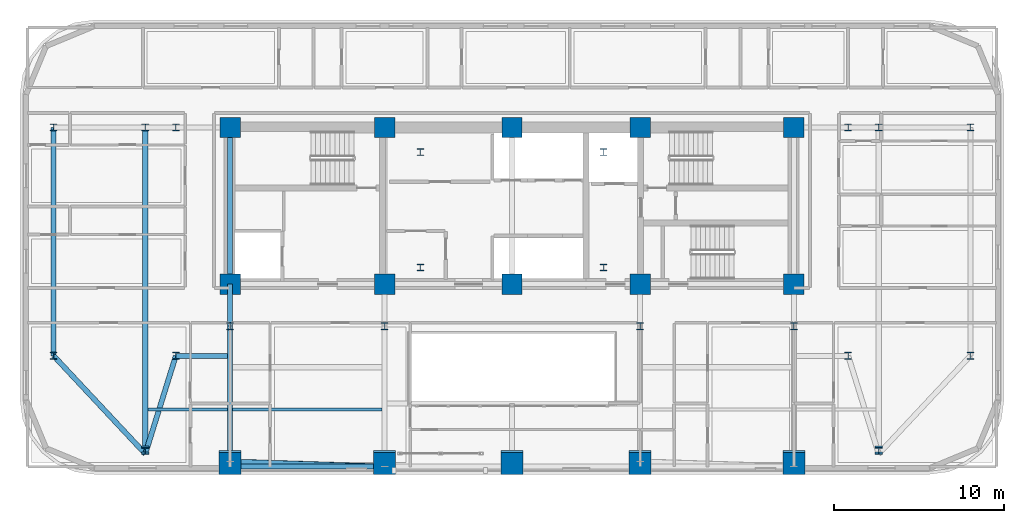
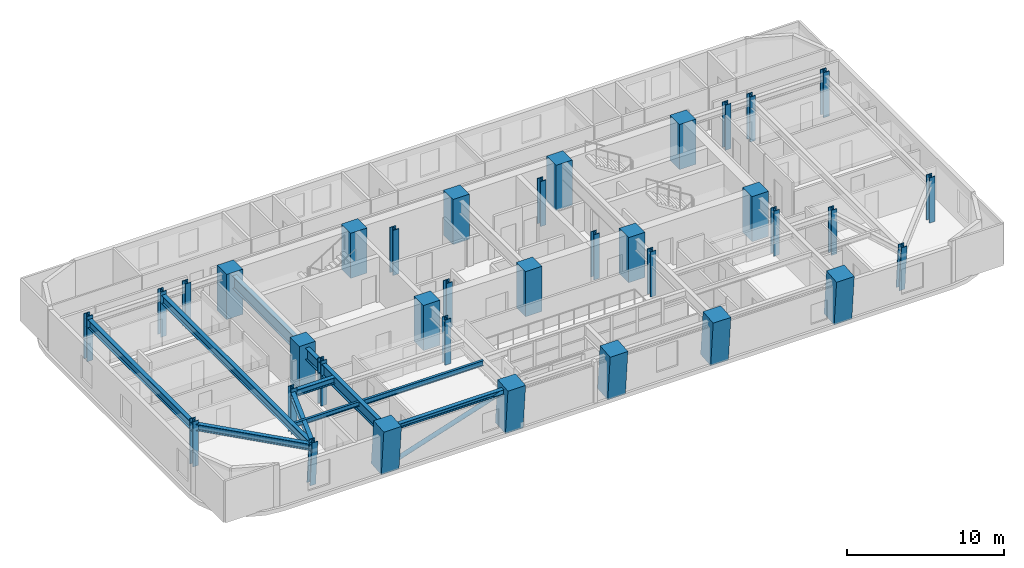
# One storey, part 1 of 16: 35 columns, 11 beams, 1 member.
"""IFC4 building model written with IfcOpenShell, lengths in metres."""

from ifc_helpers import new_model, si_unit, direction, frame, origin, origin_2d, place, context, subcontext, project, spatial, rectangle, hollow_circle, i_section, extrude, material, material_profile, profile_set, type_object, element, save


model = new_model("IFC4")

# Units and contexts
model_context = context("Model", 3, precision=1e-05, world=origin(), true_north=direction((0.0, 1.0)))
body_context = subcontext(model_context, "Body", "Model", "MODEL_VIEW")
ifc_project = project(units=[si_unit("LENGTHUNIT", "METRE"), si_unit("AREAUNIT", "SQUARE_METRE"), si_unit("VOLUMEUNIT", "CUBIC_METRE"), si_unit("PLANEANGLEUNIT", "RADIAN"), si_unit("MASSUNIT", "GRAM", prefix="KILO")], contexts=[model_context])

# Site, building, storey
site_placement = place(None, origin())
site = spatial("IfcSite", under=ifc_project, at=site_placement, CompositionType="ELEMENT")
building_placement = place(site_placement, origin())
building = spatial("IfcBuilding", under=site, at=building_placement, Name="Zarnavel Station Tower", CompositionType="ELEMENT")
storey_placement = place(building_placement, frame((0.0, 0.0, 97.800048828125)))
storey = spatial("IfcBuildingStorey", under=building, at=storey_placement, Name="L26", CompositionType="ELEMENT", Elevation=97.800048828125)

# Columns
ifc_material_1 = material(Name="Steel S460M", Category="steel")
ifc_material_profile_1 = material_profile(ifc_material_1, i_section(OverallWidth=0.41796875, OverallDepth=0.431884765625, WebThickness=0.034912109375, FlangeThickness=0.055908203125, FilletRadius=0.014892578125, at=origin_2d()), Name="HD400x421")
ifc_profile_set_1 = profile_set([ifc_material_profile_1], Name="Steel S460M")
column_type_1 = type_object("IfcColumnType", Name="EC_HD421", PredefinedType="COLUMN", material=ifc_profile_set_1)
for number, where, z_axis, x_axis, name in (
    (1, (1.800048828125, 23.60009765625, 0.0), (0.0, 0.0, 1.0), (1.0, 0.0, 0.0), "L26 Outer Wing South Column 1"),
    (2, (1.800048828125, 37.050048828125, 0.0), (0.0, 0.0, 1.0), (1.0, 0.0, 0.0), "L26 Outer Wing North Column 1"),
):
    element("IfcColumn", number, at=place(storey_placement, frame(where, z_axis=z_axis, x_axis=x_axis)), inside=storey, type_object=column_type_1, Name=name, PredefinedType="COLUMN", context=body_context, shape_type="SweptSolid", body=[
        extrude(i_section(OverallWidth=0.41796875, OverallDepth=0.431884765625, WebThickness=0.034912109375, FlangeThickness=0.055908203125, FilletRadius=0.014892578125, at=origin_2d()), origin(), (0.0, 0.0, 1.0), 3.5),
    ])
for number, where, z_axis, x_axis, name in (
    (3, (7.199951171875, 18.085693359375, 0.0), (0.0, -0.079891690793, 0.996803550226), (1.0, 0.0, 0.0), "L26 Raked Wing Column 2"),
    (4, (50.39990234375, 18.085693359375, 0.0), (0.0, -0.079891690793, 0.996803550226), (1.0, 0.0, 0.0), "L26 Raked Wing Column 3"),
):
    element("IfcColumn", number, at=place(storey_placement, frame(where, z_axis=z_axis, x_axis=x_axis)), inside=storey, type_object=column_type_1, Name=name, PredefinedType="COLUMN", context=body_context, shape_type="SweptSolid", body=[
        extrude(i_section(OverallWidth=0.41796875, OverallDepth=0.431884765625, WebThickness=0.034912109375, FlangeThickness=0.055908203125, FilletRadius=0.014892578125, at=origin_2d()), origin(), (0.0, 0.0, 1.0), 3.51123046875),
    ])
for number, where, z_axis, x_axis, name in (
    (5, (55.800048828125, 23.60009765625, 0.0), (0.0, 0.0, 1.0), (1.0, 0.0, 0.0), "L26 Outer Wing South Column 4"),
    (6, (55.800048828125, 37.050048828125, 0.0), (0.0, 0.0, 1.0), (1.0, 0.0, 0.0), "L26 Outer Wing North Column 4"),
):
    element("IfcColumn", number, at=place(storey_placement, frame(where, z_axis=z_axis, x_axis=x_axis)), inside=storey, type_object=column_type_1, Name=name, PredefinedType="COLUMN", context=body_context, shape_type="SweptSolid", body=[
        extrude(i_section(OverallWidth=0.41796875, OverallDepth=0.431884765625, WebThickness=0.034912109375, FlangeThickness=0.055908203125, FilletRadius=0.014892578125, at=origin_2d()), origin(), (0.0, 0.0, 1.0), 3.5),
    ])
ifc_material_2 = material(Name="Steel S460M", Category="steel")
ifc_material_profile_2 = material_profile(ifc_material_2, i_section(OverallWidth=0.41796875, OverallDepth=0.431884765625, WebThickness=0.034912109375, FlangeThickness=0.055908203125, FilletRadius=0.014892578125, at=origin_2d()), Name="HD400x421")
ifc_profile_set_2 = profile_set([ifc_material_profile_2], Name="Steel S460M")
column_type_2 = type_object("IfcColumnType", Name="IC_HD421", PredefinedType="COLUMN", material=ifc_profile_set_2)
for number, where, z_axis, x_axis, name in (
    (7, (23.39990234375, 28.800048828125, 0.0), (0.0, 0.0, 1.0), (1.0, 0.0, 0.0), "L26 Mast Spine Column 1"),
    (8, (34.199951171875, 28.800048828125, 0.0), (0.0, 0.0, 1.0), (1.0, 0.0, 0.0), "L26 Mast Spine Column 2"),
    (9, (34.199951171875, 35.60009765625, 0.0), (0.0, 0.0, 1.0), (1.0, 0.0, 0.0), "L26 Mast Spine Column 3"),
    (10, (23.39990234375, 35.60009765625, 0.0), (0.0, 0.0, 1.0), (1.0, 0.0, 0.0), "L26 Mast Spine Column 4"),
    (11, (12.199951171875, 25.35009765625, 0.0), (0.0, 0.0, 1.0), (1.0, 0.0, 0.0), "L26 Inner Spine Column 1"),
    (12, (21.300048828125, 25.35009765625, 0.0), (0.0, 0.0, 1.0), (1.0, 0.0, 0.0), "L26 Inner Spine Column 2"),
    (13, (36.35009765625, 25.35009765625, 0.0), (0.0, 0.0, 1.0), (1.0, 0.0, 0.0), "L26 Inner Spine Column 4"),
    (14, (45.39990234375, 25.35009765625, 0.0), (0.0, 0.0, 1.0), (1.0, 0.0, 0.0), "L26 Inner Spine Column 5"),
    (15, (9.0, 23.60009765625, 0.0), (0.0, 0.0, 1.0), (1.0, 0.0, 0.0), "L26 Inner Wing Spine Column 1-1"),
    (16, (9.0, 37.050048828125, 0.0), (0.0, 0.0, 1.0), (1.0, 0.0, 0.0), "L26 Inner Wing Spine Column 1-2"),
    (17, (48.60009765625, 23.60009765625, 0.0), (0.0, 0.0, 1.0), (1.0, 0.0, 0.0), "L26 Inner Wing Spine Column 2-1"),
    (18, (48.60009765625, 37.050048828125, 0.0), (0.0, 0.0, 1.0), (1.0, 0.0, 0.0), "L26 Inner Wing Spine Column 2-2"),
    (19, (7.199951171875, 37.050048828125, 0.0), (0.0, 0.0, 1.0), (1.0, 0.0, 0.0), "L26 Outer Wing North Column 2"),
    (20, (50.39990234375, 37.050048828125, 0.0), (0.0, 0.0, 1.0), (1.0, 0.0, 0.0), "L26 Outer Wing North Column 3"),
):
    element("IfcColumn", number, at=place(storey_placement, frame(where, z_axis=z_axis, x_axis=x_axis)), inside=storey, type_object=column_type_2, Name=name, PredefinedType="COLUMN", context=body_context, shape_type="SweptSolid", body=[
        extrude(i_section(OverallWidth=0.41796875, OverallDepth=0.431884765625, WebThickness=0.034912109375, FlangeThickness=0.055908203125, FilletRadius=0.014892578125, at=origin_2d()), origin(), (0.0, 0.0, 1.0), 3.5),
    ])
ifc_material_3 = material(Name="Concrete C50/60", Category="concrete")
ifc_material_profile_3 = material_profile(ifc_material_3, rectangle(XDim=1.199951171875, YDim=1.199951171875, at=origin_2d()), Name="RC1200x1200")
ifc_profile_set_3 = profile_set([ifc_material_profile_3], Name="Concrete C50/60")
column_type_3 = type_object("IfcColumnType", Name="IC_RC1200", PredefinedType="COLUMN", material=ifc_profile_set_3)
for number, where, z_axis, x_axis, name in (
    (21, (12.199951171875, 27.820068359375, 0.0), (0.0, 0.0, 1.0), (1.0, 0.0, 0.0), "L26 Core Spine Column 1-1"),
    (22, (12.199951171875, 37.050048828125, 0.0), (0.0, 0.0, 1.0), (1.0, 0.0, 0.0), "L26 Core Spine Column 1-2"),
    (23, (21.300048828125, 27.820068359375, 0.0), (0.0, 0.0, 1.0), (1.0, 0.0, 0.0), "L26 Core Spine Column 2-1"),
    (24, (21.300048828125, 37.050048828125, 0.0), (0.0, 0.0, 1.0), (1.0, 0.0, 0.0), "L26 Core Spine Column 2-2"),
    (25, (28.800048828125, 27.820068359375, 0.0), (0.0, 0.0, 1.0), (1.0, 0.0, 0.0), "L26 Core Spine Column 3-1"),
    (26, (28.800048828125, 37.050048828125, 0.0), (0.0, 0.0, 1.0), (1.0, 0.0, 0.0), "L26 Core Spine Column 3-2"),
    (27, (36.35009765625, 27.820068359375, 0.0), (0.0, 0.0, 1.0), (1.0, 0.0, 0.0), "L26 Core Spine Column 4-1"),
    (28, (36.35009765625, 37.050048828125, 0.0), (0.0, 0.0, 1.0), (1.0, 0.0, 0.0), "L26 Core Spine Column 4-2"),
    (29, (45.39990234375, 27.820068359375, 0.0), (0.0, 0.0, 1.0), (1.0, 0.0, 0.0), "L26 Core Spine Column 5-1"),
    (30, (45.39990234375, 37.050048828125, 0.0), (0.0, 0.0, 1.0), (1.0, 0.0, 0.0), "L26 Core Spine Column 5-2"),
):
    element("IfcColumn", number, at=place(storey_placement, frame(where, z_axis=z_axis, x_axis=x_axis)), inside=storey, type_object=column_type_3, Name=name, PredefinedType="COLUMN", context=body_context, shape_type="SweptSolid", body=[
        extrude(rectangle(XDim=1.199951171875, YDim=1.199951171875, at=origin_2d()), origin(), (0.0, 0.0, 1.0), 3.5),
    ])
ifc_material_4 = material(Name="Concrete C60/75", Category="concrete")
ifc_material_profile_4 = material_profile(ifc_material_4, rectangle(XDim=1.300048828125, YDim=1.300048828125, at=origin_2d()), Name="RC1300x1300")
ifc_profile_set_4 = profile_set([ifc_material_profile_4], Name="Concrete C60/75")
column_type_4 = type_object("IfcColumnType", Name="MC_RC1300", PredefinedType="COLUMN", material=ifc_profile_set_4)
for number, where, z_axis, x_axis, name in (
    (31, (12.199951171875, 17.365234375, 0.0), (0.0, -0.090241349316, 0.995919925935), (1.0, 0.0, 0.0), "L26 Raked South Mega-Column 1"),
    (32, (21.300048828125, 17.365234375, 0.0), (0.0, -0.090241349316, 0.995919925935), (1.0, 0.0, 0.0), "L26 Raked South Mega-Column 2"),
    (33, (28.800048828125, 17.365234375, 0.0), (0.0, -0.090241349316, 0.995919925935), (1.0, 0.0, 0.0), "L26 Raked South Mega-Column 3"),
    (34, (36.35009765625, 17.365234375, 0.0), (0.0, -0.090241349316, 0.995919925935), (1.0, 0.0, 0.0), "L26 Raked South Mega-Column 4"),
    (35, (45.39990234375, 17.365234375, 0.0), (0.0, -0.090241349316, 0.995919925935), (1.0, 0.0, 0.0), "L26 Raked South Mega-Column 5"),
):
    element("IfcColumn", number, at=place(storey_placement, frame(where, z_axis=z_axis, x_axis=x_axis)), inside=storey, type_object=column_type_4, Name=name, PredefinedType="COLUMN", context=body_context, shape_type="SweptSolid", body=[
        extrude(rectangle(XDim=1.300048828125, YDim=1.300048828125, at=origin_2d()), origin(), (0.0, 0.0, 1.0), 3.514404296875),
    ])

# Member
ifc_material_5 = material(Name="Steel S355J2", Category="steel")
ifc_material_profile_5 = material_profile(ifc_material_5, hollow_circle(Radius=0.161865234375, WallThickness=0.012451171875, at=origin_2d()), Name="CHS323.9x12.5")
ifc_profile_set_5 = profile_set([ifc_material_profile_5], Name="Steel S355J2")
member_type = type_object("IfcMemberType", Name="DB_EXT_CHS324", PredefinedType="BRACE", material=ifc_profile_set_5)
member_placement = place(storey_placement, frame((12.199951171875, 17.365234375, 0.0), z_axis=(0.941636397979, -0.030365588624, 0.335259339958), x_axis=(0.032230925026, 0.999480448769, 0.0)))
element("IfcMember", 36, at=member_placement, inside=storey, type_object=member_type, Name="L26 Persian Exterior Diagonal Frame Brace 1", PredefinedType="BRACE", context=body_context, shape_type="SweptSolid", body=[
    extrude(hollow_circle(Radius=0.161865234375, WallThickness=0.012451171875, at=origin_2d()), origin(), (0.0, 0.0, 1.0), 9.6640625),
])

# Beams
ifc_material_6 = material(Name="Steel S355J2", Category="steel")
ifc_material_profile_6 = material_profile(ifc_material_6, i_section(OverallWidth=0.300048828125, OverallDepth=0.360107421875, WebThickness=0.012451171875, FlangeThickness=0.0224609375, FilletRadius=0.027099609375, at=origin_2d()), Name="HEB360")
ifc_profile_set_6 = profile_set([ifc_material_profile_6], Name="Steel S355J2")
beam_type_1 = type_object("IfcBeamType", Name="EB_HEB360", PredefinedType="SPANDREL", material=ifc_profile_set_6)
beam_1_placement = place(storey_placement, frame((12.199951171875, 17.07177734375, 3.06005859375), z_axis=(1.0, 0.0, 0.0), x_axis=(0.0, 1.0, 0.0)))
element("IfcBeam", 37, at=beam_1_placement, inside=storey, type_object=beam_type_1, Name="L26 South Raked Spandrel 1", PredefinedType="SPANDREL", context=body_context, shape_type="SweptSolid", body=[
    extrude(i_section(OverallWidth=0.300048828125, OverallDepth=0.360107421875, WebThickness=0.012451171875, FlangeThickness=0.0224609375, FilletRadius=0.027099609375, at=origin_2d()), origin(), (0.0, 0.0, 1.0), 9.10009765625),
])
ifc_material_7 = material(Name="Steel S355J2", Category="steel")
ifc_material_profile_7 = material_profile(ifc_material_7, i_section(OverallWidth=0.179931640625, OverallDepth=0.39990234375, WebThickness=0.008544921875, FlangeThickness=0.013427734375, FilletRadius=0.02099609375, at=origin_2d()), Name="IPE400")
ifc_profile_set_7 = profile_set([ifc_material_profile_7], Name="Steel S355J2")
beam_type_2 = type_object("IfcBeamType", Name="FB_IPE400", PredefinedType="BEAM", material=ifc_profile_set_7)
beam_2_placement = place(storey_placement, frame((12.344970703125, 20.44775390625, 3.0400390625), z_axis=(1.0, 0.0, 0.0), x_axis=(0.0, 1.0, 0.0)))
element("IfcBeam", 38, at=beam_2_placement, inside=storey, type_object=beam_type_2, Name="L26 West Bay Beam 1", PredefinedType="BEAM", context=body_context, shape_type="SweptSolid", body=[
    extrude(i_section(OverallWidth=0.179931640625, OverallDepth=0.39990234375, WebThickness=0.008544921875, FlangeThickness=0.013427734375, FilletRadius=0.02099609375, at=origin_2d()), origin(), (0.0, 0.0, 1.0), 8.81005859375),
])
ifc_material_8 = material(Name="Steel S355J2", Category="steel")
ifc_material_profile_8 = material_profile(ifc_material_8, i_section(OverallWidth=0.300048828125, OverallDepth=0.5, WebThickness=0.014404296875, FlangeThickness=0.028076171875, FilletRadius=0.027099609375, at=origin_2d()), Name="HEB500")
ifc_profile_set_8 = profile_set([ifc_material_profile_8], Name="Steel S355J2")
beam_type_3 = type_object("IfcBeamType", Name="FG_HEB500", PredefinedType="USERDEFINED", material=ifc_profile_set_8)
beam_3_placement = place(storey_placement, frame((1.800048828125, 23.60009765625, 2.989990234375), z_axis=(0.683055117917, -0.730366829674, 0.0), x_axis=(0.730366829674, 0.683055117917, 0.0)))
element("IfcBeam", 39, at=beam_3_placement, inside=storey, type_object=beam_type_3, Name="L26 West Wing South Tie 1", ObjectType="GIRDER", PredefinedType="USERDEFINED", context=body_context, shape_type="SweptSolid", body=[
    extrude(i_section(OverallWidth=0.300048828125, OverallDepth=0.5, WebThickness=0.014404296875, FlangeThickness=0.028076171875, FilletRadius=0.027099609375, at=origin_2d()), origin(), (0.0, 0.0, 1.0), 7.905517578125),
])
beam_4_placement = place(storey_placement, frame((7.199951171875, 17.826171875, 2.989990234375), z_axis=(0.297626752008, 0.954682311813, 0.0), x_axis=(-0.954682311813, 0.297626752008, 0.0)))
element("IfcBeam", 40, at=beam_4_placement, inside=storey, type_object=beam_type_3, Name="L26 West Wing South Tie 2", ObjectType="GIRDER", PredefinedType="USERDEFINED", context=body_context, shape_type="SweptSolid", body=[
    extrude(i_section(OverallWidth=0.300048828125, OverallDepth=0.5, WebThickness=0.014404296875, FlangeThickness=0.028076171875, FilletRadius=0.027099609375, at=origin_2d()), origin(), (0.0, 0.0, 1.0), 6.048095703125),
])
beam_5_placement = place(storey_placement, frame((9.0, 23.60009765625, 2.989990234375), z_axis=(1.0, 0.0, 0.0), x_axis=(0.0, 1.0, 0.0)))
element("IfcBeam", 41, at=beam_5_placement, inside=storey, type_object=beam_type_3, Name="L26 West Wing South Tie 3", ObjectType="GIRDER", PredefinedType="USERDEFINED", context=body_context, shape_type="SweptSolid", body=[
    extrude(i_section(OverallWidth=0.300048828125, OverallDepth=0.5, WebThickness=0.014404296875, FlangeThickness=0.028076171875, FilletRadius=0.027099609375, at=origin_2d()), origin(), (0.0, 0.0, 1.0), 3.054931640625),
])
ifc_material_9 = material(Name="Steel S355J2", Category="steel")
ifc_material_profile_9 = material_profile(ifc_material_9, i_section(OverallWidth=0.300048828125, OverallDepth=0.64990234375, WebThickness=0.01611328125, FlangeThickness=0.031005859375, FilletRadius=0.027099609375, at=origin_2d()), Name="HEB650")
ifc_profile_set_9 = profile_set([ifc_material_profile_9], Name="Steel S355J2")
beam_type_4 = type_object("IfcBeamType", Name="FG_HEB650", PredefinedType="USERDEFINED", material=ifc_profile_set_9)
beam_6_placement = place(storey_placement, frame((1.800048828125, 23.60009765625, 2.9150390625), z_axis=(0.0, 1.0, 0.0), x_axis=(-1.0, 0.0, 0.0)))
element("IfcBeam", 42, at=beam_6_placement, inside=storey, type_object=beam_type_4, Name="L26 Wing NS Girder 1", ObjectType="GIRDER", PredefinedType="USERDEFINED", context=body_context, shape_type="SweptSolid", body=[
    extrude(i_section(OverallWidth=0.300048828125, OverallDepth=0.64990234375, WebThickness=0.01611328125, FlangeThickness=0.031005859375, FilletRadius=0.027099609375, at=origin_2d()), origin(), (0.0, 0.0, 1.0), 13.449951171875),
])
beam_7_placement = place(storey_placement, frame((7.199951171875, 17.826171875, 2.9150390625), z_axis=(0.0, 1.0, 0.0), x_axis=(-1.0, 0.0, 0.0)))
element("IfcBeam", 43, at=beam_7_placement, inside=storey, type_object=beam_type_4, Name="L26 Wing NS Girder 2", ObjectType="GIRDER", PredefinedType="USERDEFINED", context=body_context, shape_type="SweptSolid", body=[
    extrude(i_section(OverallWidth=0.300048828125, OverallDepth=0.64990234375, WebThickness=0.01611328125, FlangeThickness=0.031005859375, FilletRadius=0.027099609375, at=origin_2d()), origin(), (0.0, 0.0, 1.0), 19.223876953125),
])
ifc_material_10 = material(Name="Steel S355J2", Category="steel")
ifc_material_profile_10 = material_profile(ifc_material_10, i_section(OverallWidth=0.169921875, OverallDepth=0.360107421875, WebThickness=0.008056640625, FlangeThickness=0.0126953125, FilletRadius=0.01806640625, at=origin_2d()), Name="IPE360")
ifc_profile_set_10 = profile_set([ifc_material_profile_10], Name="Steel S355J2")
beam_type_5 = type_object("IfcBeamType", Name="FJ_IPE360", PredefinedType="JOIST", material=ifc_profile_set_10)
beam_8_placement = place(storey_placement, frame((7.344970703125, 20.44775390625, 3.06005859375), z_axis=(1.0, 0.0, 0.0), x_axis=(0.0, 1.0, 0.0)))
element("IfcBeam", 44, at=beam_8_placement, inside=storey, type_object=beam_type_5, Name="L26 West Wing Joist 1", PredefinedType="JOIST", context=body_context, shape_type="SweptSolid", body=[
    extrude(i_section(OverallWidth=0.169921875, OverallDepth=0.360107421875, WebThickness=0.008056640625, FlangeThickness=0.0126953125, FilletRadius=0.01806640625, at=origin_2d()), origin(), (0.0, 0.0, 1.0), 4.7099609375),
])
ifc_material_11 = material(Name="Steel S460M", Category="steel")
ifc_material_profile_11 = material_profile(ifc_material_11, i_section(OverallWidth=0.302001953125, OverallDepth=1.008056640625, WebThickness=0.02099609375, FlangeThickness=0.0400390625, FilletRadius=0.030029296875, at=origin_2d()), Name="HEM1000")
ifc_profile_set_11 = profile_set([ifc_material_profile_11], Name="Steel S460M")
beam_type_6 = type_object("IfcBeamType", Name="TG_HEM1000", PredefinedType="USERDEFINED", material=ifc_profile_set_11)
beam_9_placement = place(storey_placement, frame((12.199951171875, 27.820068359375, 2.73583984375), z_axis=(0.0, 1.0, 0.0), x_axis=(-1.0, 0.0, 0.0)))
element("IfcBeam", 45, at=beam_9_placement, inside=storey, type_object=beam_type_6, Name="L26 Core Spine Coupling Girder 1", ObjectType="GIRDER", PredefinedType="USERDEFINED", context=body_context, shape_type="SweptSolid", body=[
    extrude(i_section(OverallWidth=0.302001953125, OverallDepth=1.008056640625, WebThickness=0.02099609375, FlangeThickness=0.0400390625, FilletRadius=0.030029296875, at=origin_2d()), origin(), (0.0, 0.0, 1.0), 9.22998046875),
])
ifc_material_12 = material(Name="Steel S460M", Category="steel")
ifc_material_profile_12 = material_profile(ifc_material_12, i_section(OverallWidth=0.302001953125, OverallDepth=0.909912109375, WebThickness=0.02099609375, FlangeThickness=0.0400390625, FilletRadius=0.030029296875, at=origin_2d()), Name="HEM900")
ifc_profile_set_12 = profile_set([ifc_material_profile_12], Name="Steel S460M")
beam_type_7 = type_object("IfcBeamType", Name="TG_HEM900", PredefinedType="USERDEFINED", material=ifc_profile_set_12)
beam_10_placement = place(storey_placement, frame((12.199951171875, 17.07177734375, 2.784912109375), z_axis=(0.0, 1.0, 0.0), x_axis=(-1.0, 0.0, 0.0)))
element("IfcBeam", 46, at=beam_10_placement, inside=storey, type_object=beam_type_7, Name="L26 South-Zone NS Girder 1", ObjectType="GIRDER", PredefinedType="USERDEFINED", context=body_context, shape_type="SweptSolid", body=[
    extrude(i_section(OverallWidth=0.302001953125, OverallDepth=0.909912109375, WebThickness=0.02099609375, FlangeThickness=0.0400390625, FilletRadius=0.030029296875, at=origin_2d()), origin(), (0.0, 0.0, 1.0), 8.2783203125),
])
beam_11_placement = place(storey_placement, frame((12.199951171875, 25.35009765625, 2.784912109375), z_axis=(0.0, 1.0, 0.0), x_axis=(-1.0, 0.0, 0.0)))
element("IfcBeam", 47, at=beam_11_placement, inside=storey, type_object=beam_type_7, Name="L26 Inner-Zone NS Girder 1", ObjectType="GIRDER", PredefinedType="USERDEFINED", context=body_context, shape_type="SweptSolid", body=[
    extrude(i_section(OverallWidth=0.302001953125, OverallDepth=0.909912109375, WebThickness=0.02099609375, FlangeThickness=0.0400390625, FilletRadius=0.030029296875, at=origin_2d()), origin(), (0.0, 0.0, 1.0), 2.469970703125),
])

save(model, "model.ifc")
